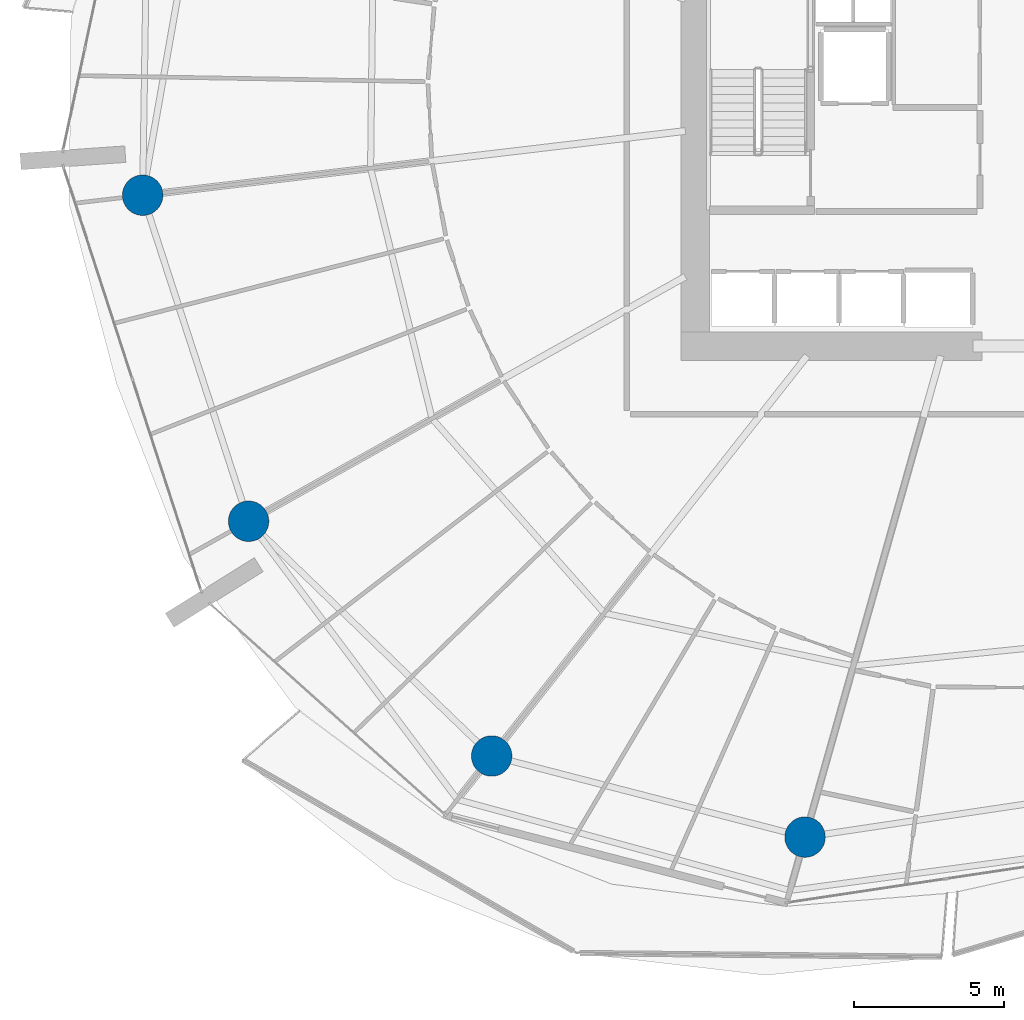
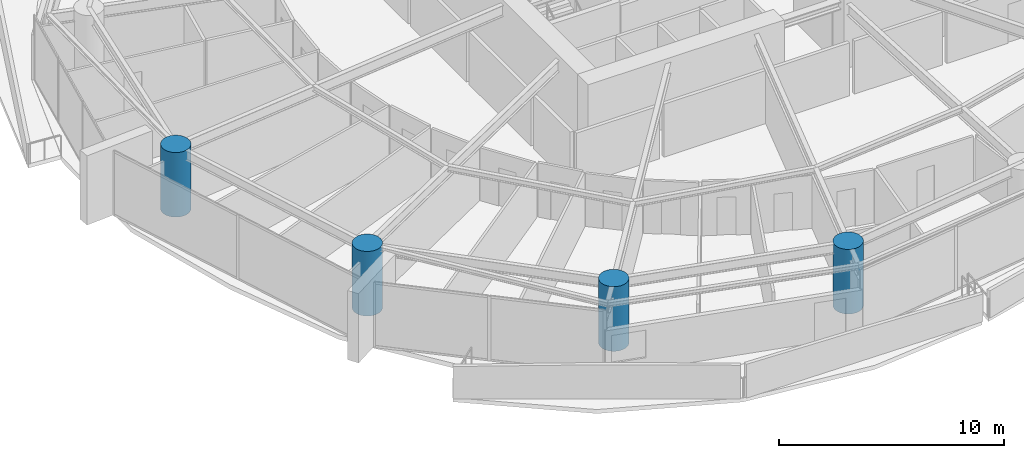
# One storey, part 1 of 30: 4 columns.
"""IFC4 building model written with IfcOpenShell, lengths in metres."""

from ifc_helpers import new_model, si_unit, direction, frame, origin, origin_2d, place, context, subcontext, project, spatial, circle, extrude, material, material_profile, profile_set, type_object, element, save


model = new_model("IFC4")

# Units and contexts
model_context = context("Model", 3, precision=1e-05, world=origin(), true_north=direction((0.0, 1.0)))
body_context = subcontext(model_context, "Body", "Model", "MODEL_VIEW")
ifc_project = project(units=[si_unit("LENGTHUNIT", "METRE"), si_unit("AREAUNIT", "SQUARE_METRE"), si_unit("VOLUMEUNIT", "CUBIC_METRE"), si_unit("PLANEANGLEUNIT", "RADIAN"), si_unit("MASSUNIT", "GRAM", prefix="KILO")], contexts=[model_context])

# Site, building, storey
site_placement = place(None, origin())
site = spatial("IfcSite", under=ifc_project, at=site_placement, CompositionType="ELEMENT")
building_placement = place(site_placement, origin())
building = spatial("IfcBuilding", under=site, at=building_placement, Name="Kazma Halo Residences", CompositionType="ELEMENT")
storey_placement = place(building_placement, frame((0.0, 0.0, 56.39990234375)))
storey = spatial("IfcBuildingStorey", under=building, at=storey_placement, Name="L13", CompositionType="ELEMENT", Elevation=56.39990234375)

# Columns
ifc_material = material(Name="Concrete C80/95", Category="concrete")
ifc_material_profile = material_profile(ifc_material, circle(Radius=0.675048828125, at=origin_2d()), Name="CIRC1350")
ifc_profile_set = profile_set([ifc_material_profile], Name="Concrete C80/95")
column_type = type_object("IfcColumnType", Name="COL-PERIM-1350", PredefinedType="COLUMN", material=ifc_profile_set)
for number, where, z_axis, x_axis, name in (
    (1, (18.902099609375, 38.555908203125, 0.0), (0.0, 0.0, 1.0), (1.0, 0.0, 0.0), "L13 perimeter ring column P08"),
    (2, (22.43505859375, 27.682861328125, 0.0), (0.0, 0.0, 1.0), (1.0, 0.0, 0.0), "L13 perimeter ring column P09"),
    (3, (30.541748046875, 19.854248046875, 0.0), (0.0, 0.0, 1.0), (1.0, 0.0, 0.0), "L13 perimeter ring column P10"),
    (4, (40.99169921875, 17.150634765625, 0.0), (0.0, 0.0, 1.0), (1.0, 0.0, 0.0), "L13 perimeter ring column P11"),
):
    element("IfcColumn", number, at=place(storey_placement, frame(where, z_axis=z_axis, x_axis=x_axis)), inside=storey, type_object=column_type, Name=name, PredefinedType="COLUMN", context=body_context, shape_type="SweptSolid", body=[
        extrude(circle(Radius=0.675048828125, at=origin_2d()), origin(), (0.0, 0.0, 1.0), 3.5),
    ])

save(model, "model.ifc")
